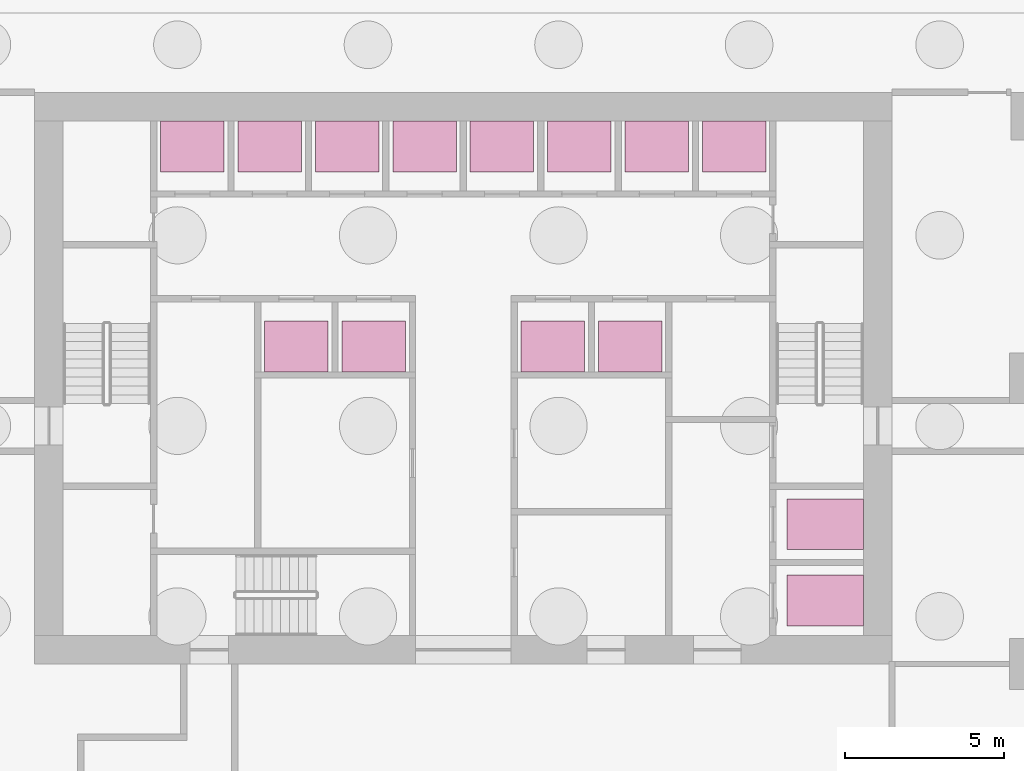
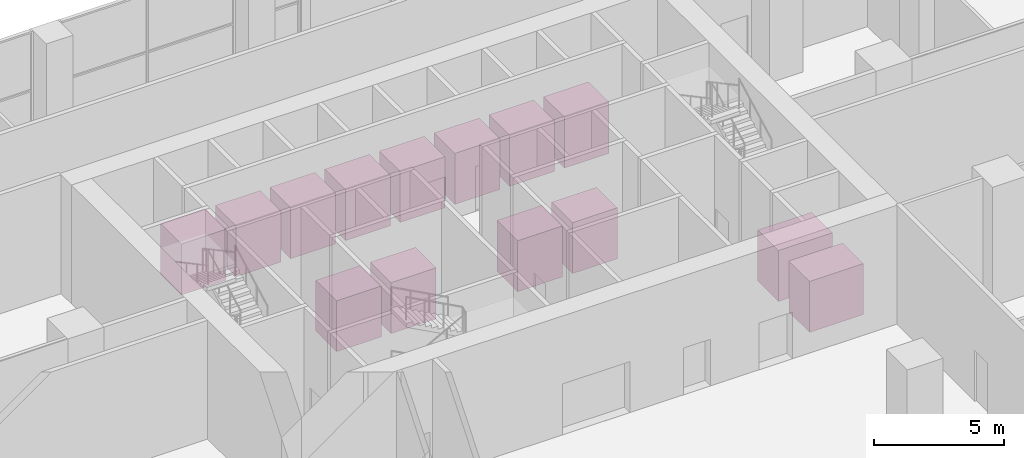
# One storey, part 20 of 20: 14 transport elements.
"""IFC4 building model written with IfcOpenShell, lengths in metres."""

import ifcopenshell
import ifcopenshell.guid

model = None  # the IFC model being written
_history = None  # IfcOwnerHistory: only IFC2X3 demands one
_inside = {}  # id of a spatial element -> (the spatial element, [elements in it])
_under = {}  # id of a project, library or spatial element -> (it, [spatial elements below it])
_declared = {}  # id of a project -> (the project, [libraries it declares])
_typed = {}  # id of a type object -> (the type object, [elements of that type])
_made_of = {}  # id of a material, layer set ... -> (it, [elements and type objects made of it])


def new_model(schema):
    """Start an empty IFC model of exactly this schema.

    Asked for "IFC4X3", IfcOpenShell would pick the latest addendum, in which some entities
    have other attributes; the version numbers below select the first issue.
    IFC2X3 requires an IfcOwnerHistory on every rooted entity: one is made here for all.
    """
    global model, _history
    if schema == "IFC4X3":
        model = ifcopenshell.file(schema_version=(4, 3, 0, 0))
    else:
        model = ifcopenshell.file(schema=schema)
    _inside.clear()
    _under.clear()
    _declared.clear()
    _typed.clear()
    _made_of.clear()
    _history = None
    if model.schema == "IFC2X3":
        org = make("IfcOrganization", Name="unknown")
        user = make(
            "IfcPersonAndOrganization",
            ThePerson=make("IfcPerson", FamilyName="unknown"),
            TheOrganization=org,
        )
        app = make(
            "IfcApplication",
            ApplicationDeveloper=org,
            Version="unknown",
            ApplicationFullName="unknown",
            ApplicationIdentifier="unknown",
        )
        _history = make(
            "IfcOwnerHistory",
            OwningUser=user,
            OwningApplication=app,
            ChangeAction="ADDED",
            CreationDate=0,
        )
    return model


def make(cls, **values):
    """One entity of the class cls with the attributes given. An attribute that is None is left unset."""
    return model.create_entity(
        cls, **{name: value for name, value in values.items() if value is not None}
    )


def rooted(cls, **values):
    """An entity with a GlobalId (a new one), such as an element, a storey or a relation."""
    return make(cls, GlobalId=ifcopenshell.guid.new(), OwnerHistory=_history, **values)


def si_unit(unit_type, name, prefix=None):
    """IfcSIUnit, for example si_unit("LENGTHUNIT", "METRE", prefix="MILLI")."""
    return make("IfcSIUnit", UnitType=unit_type, Prefix=prefix, Name=name)


def assignment(units):
    """IfcUnitAssignment: the units of a project."""
    return None if units is None else make("IfcUnitAssignment", Units=units)


def point(xyz):
    """IfcCartesianPoint."""
    return None if xyz is None else make("IfcCartesianPoint", Coordinates=xyz)


def direction(xyz):
    """IfcDirection."""
    return None if xyz is None else make("IfcDirection", DirectionRatios=xyz)


def frame(location, z_axis=None, x_axis=None):
    """IfcAxis2Placement3D, a coordinate frame: its origin and axes. An axis left out is left unset."""
    return make(
        "IfcAxis2Placement3D",
        Location=point(location),
        Axis=direction(z_axis),
        RefDirection=direction(x_axis),
    )


def frame_2d(location, x_axis=None):
    """IfcAxis2Placement2D, a coordinate frame in the plane: its origin and x axis."""
    return make(
        "IfcAxis2Placement2D", Location=point(location), RefDirection=direction(x_axis)
    )


def origin():
    """The frame at (0, 0, 0) with its axes left unset."""
    return frame((0.0, 0.0, 0.0))


def origin_2d():
    """The frame at (0, 0) in the plane with its x axis left unset."""
    return frame_2d((0.0, 0.0))


def place(relative_to, where):
    """IfcLocalPlacement: puts the frame where relative to a parent placement (None: the world)."""
    return make(
        "IfcLocalPlacement", PlacementRelTo=relative_to, RelativePlacement=where
    )


def context(
    kind, dimensions, precision=None, world=None, true_north=None, identifier=None
):
    """IfcGeometricRepresentationContext, for example the 3D "Model" context."""
    return make(
        "IfcGeometricRepresentationContext",
        ContextIdentifier=identifier,
        ContextType=kind,
        CoordinateSpaceDimension=dimensions,
        Precision=precision,
        WorldCoordinateSystem=world,
        TrueNorth=true_north,
    )


def subcontext(parent, identifier, kind, view, scale=None):
    """IfcGeometricRepresentationSubContext, for example "Body" below "Model"."""
    return make(
        "IfcGeometricRepresentationSubContext",
        ContextIdentifier=identifier,
        ContextType=kind,
        ParentContext=parent,
        TargetScale=scale,
        TargetView=view,
    )


def project(units=None, contexts=None):
    """IfcProject with its units and contexts."""
    return rooted(
        "IfcProject",
        Name="project",
        RepresentationContexts=contexts,
        UnitsInContext=assignment(units),
    )


def spatial(cls, under=None, at=None, **own):
    """A site, building, storey or space (cls), placed at a placement, below another one or the project."""
    s = rooted(cls, ObjectPlacement=at, **own)
    if under is not None:
        _under.setdefault(under.id(), (under, []))[1].append(s)
    return s


def profile(cls, at=None, kind="AREA", **sizes):
    """A parametric profile (cls). Its sizes go by their IFC names, for example OverallWidth=200.0."""
    return make(cls, ProfileType=kind, Position=at, **sizes)


def rectangle(**sizes):
    """IfcRectangleProfileDef."""
    return profile("IfcRectangleProfileDef", **sizes)


def extrude(swept, where, along, depth):
    """IfcExtrudedAreaSolid: the profile swept, set in the frame where, extruded along a direction by depth."""
    return make(
        "IfcExtrudedAreaSolid",
        SweptArea=swept,
        Position=where,
        ExtrudedDirection=direction(along),
        Depth=depth,
    )


def shape(context_of_items, identifier, shape_type, items):
    """IfcShapeRepresentation: the items that make up one representation, for example the "Body"."""
    return make(
        "IfcShapeRepresentation",
        ContextOfItems=context_of_items,
        RepresentationIdentifier=identifier,
        RepresentationType=shape_type,
        Items=items,
    )


def material(Name=None, Category=None):
    """IfcMaterial."""
    return make("IfcMaterial", Name=Name, Category=Category)


def made_of(thing, what):
    """Note that an element or type object is made of a material, layer set ...; save() writes the relation."""
    if what is not None:
        _made_of.setdefault(what.id(), (what, []))[1].append(thing)
    return thing


def type_object(cls, material=None, **own):
    """A type object (cls), such as IfcWallType, which elements share."""
    return made_of(rooted(cls, **own), material)


def element(
    cls,
    number,
    at=None,
    inside=None,
    cuts=None,
    type_object=None,
    material=None,
    context=None,
    identifier="Body",
    shape_type=None,
    held_by="IfcProductDefinitionShape",
    body=None,
    shapes=None,
    **own,
):
    """One element of the class cls, such as IfcWall. Its Tag is "e" and its number.

    at: its placement. inside: the storey or other place that contains it. cuts: it is an
    opening in that element (IfcRelVoidsElement). A single representation is given by context,
    identifier, shape_type and body (its items); several are given by shapes. held_by: the class
    of the entity that holds the representations. save() writes the other relations.
    """
    e = rooted(cls, Tag="e%d" % number, ObjectPlacement=at, **own)
    if body is not None:
        shapes = [shape(context, identifier, shape_type, body)]
    if shapes is not None:
        e.Representation = make(held_by, Representations=shapes)
    if inside is not None:
        _inside.setdefault(inside.id(), (inside, []))[1].append(e)
    if cuts is not None:
        rooted(
            "IfcRelVoidsElement", RelatingBuildingElement=cuts, RelatedOpeningElement=e
        )
    if type_object is not None:
        _typed.setdefault(type_object.id(), (type_object, []))[1].append(e)
    return made_of(e, material)


def aggregate(whole, parts):
    """IfcRelAggregates: a whole, such as a stair, and the parts it consists of."""
    return rooted("IfcRelAggregates", RelatingObject=whole, RelatedObjects=parts)


def save(model, path):
    """Write the relations noted so far, then the file.

    IfcRelAggregates (storeys below a building ...), IfcRelContainedInSpatialStructure (elements
    in a storey), IfcRelDefinesByType, IfcRelAssociatesMaterial and IfcRelDeclares: one each for
    every whole, place, type object, material and project.
    """
    for whole, parts in _under.values():
        aggregate(whole, parts)
    for where, things in _inside.values():
        rooted(
            "IfcRelContainedInSpatialStructure",
            RelatedElements=things,
            RelatingStructure=where,
        )
    for kind, things in _typed.values():
        rooted("IfcRelDefinesByType", RelatedObjects=things, RelatingType=kind)
    for what, things in _made_of.values():
        rooted("IfcRelAssociatesMaterial", RelatedObjects=things, RelatingMaterial=what)
    for by, libraries in _declared.values():
        rooted("IfcRelDeclares", RelatingContext=by, RelatedDefinitions=libraries)
    model.write(path)


model = new_model("IFC4")

# Units and contexts
model_context = context("Model", 3, precision=1e-05, world=origin(), true_north=direction((0.0, 1.0)))
body_context = subcontext(model_context, "Body", "Model", "MODEL_VIEW")
ifc_project = project(units=[si_unit("LENGTHUNIT", "METRE"), si_unit("AREAUNIT", "SQUARE_METRE"), si_unit("VOLUMEUNIT", "CUBIC_METRE"), si_unit("PLANEANGLEUNIT", "RADIAN"), si_unit("MASSUNIT", "GRAM", prefix="KILO")], contexts=[model_context])

# Site, building, storey
site_placement = place(None, origin())
site = spatial("IfcSite", under=ifc_project, at=site_placement, CompositionType="ELEMENT")
building_placement = place(site_placement, origin())
building = spatial("IfcBuilding", under=site, at=building_placement, Name="Orbiselva Terraces", CompositionType="ELEMENT")
storey_placement = place(building_placement, origin())
storey = spatial("IfcBuildingStorey", under=building, at=storey_placement, Name="L00", CompositionType="ELEMENT", Elevation=0.0)

# Transport elements
ifc_material = material(Name="Stainless steel car", Category="steel")
transport_element_type_1 = type_object("IfcTransportElementType", Name="CORE-LIFT-FF-1600X2400", PredefinedType="ELEVATOR", material=ifc_material)
for number, where, z_axis, x_axis, name in (
    (1, (11.4, 6.5, 0.0), (0.0, 0.0, 1.0), (1.0, 0.0, 0.0), "FF1 car"),
    (2, (11.4, 8.9, 0.0), (0.0, 0.0, 1.0), (1.0, 0.0, 0.0), "FF2 car"),
):
    element("IfcTransportElement", number, at=place(storey_placement, frame(where, z_axis=z_axis, x_axis=x_axis)), inside=storey, type_object=transport_element_type_1, Name=name, PredefinedType="ELEVATOR", context=body_context, shape_type="SweptSolid", body=[
        extrude(rectangle(XDim=2.4, YDim=1.6, at=origin_2d()), origin(), (0.0, 0.0, 1.0), 2.4),
    ])
transport_element_type_2 = type_object("IfcTransportElementType", Name="CORE-LIFT-PASSENGER-2000X1600", PredefinedType="ELEVATOR", material=ifc_material)
for number, where, z_axis, x_axis, name in (
    (3, (-8.53125, 20.8, 0.0), (0.0, 0.0, 1.0), (1.0, 0.0, 0.0), "LR1 car"),
    (4, (-6.09375, 20.8, 0.0), (0.0, 0.0, 1.0), (1.0, 0.0, 0.0), "LR2 car"),
    (5, (-3.65625, 20.8, 0.0), (0.0, 0.0, 1.0), (1.0, 0.0, 0.0), "LR3 car"),
    (6, (-1.21875, 20.8, 0.0), (0.0, 0.0, 1.0), (1.0, 0.0, 0.0), "LR4 car"),
    (7, (1.21875, 20.8, 0.0), (0.0, 0.0, 1.0), (1.0, 0.0, 0.0), "HR1 car"),
    (8, (3.65625, 20.8, 0.0), (0.0, 0.0, 1.0), (1.0, 0.0, 0.0), "HR2 car"),
    (9, (6.09375, 20.8, 0.0), (0.0, 0.0, 1.0), (1.0, 0.0, 0.0), "HR3 car"),
    (10, (8.53125, 20.8, 0.0), (0.0, 0.0, 1.0), (1.0, 0.0, 0.0), "HR4 car"),
    (11, (2.81875, 14.5, 0.0), (0.0, 0.0, 1.0), (1.0, 0.0, 0.0), "HR5 car"),
    (12, (5.25625, 14.5, 0.0), (0.0, 0.0, 1.0), (1.0, 0.0, 0.0), "HR6 car"),
    (13, (-5.25625, 14.5, 0.0), (0.0, 0.0, 1.0), (1.0, 0.0, 0.0), "OBS1 car"),
    (14, (-2.81875, 14.5, 0.0), (0.0, 0.0, 1.0), (1.0, 0.0, 0.0), "OBS2 car"),
):
    element("IfcTransportElement", number, at=place(storey_placement, frame(where, z_axis=z_axis, x_axis=x_axis)), inside=storey, type_object=transport_element_type_2, Name=name, PredefinedType="ELEVATOR", context=body_context, shape_type="SweptSolid", body=[
        extrude(rectangle(XDim=2.0, YDim=1.6, at=origin_2d()), origin(), (0.0, 0.0, 1.0), 2.4),
    ])

save(model, "model.ifc")
